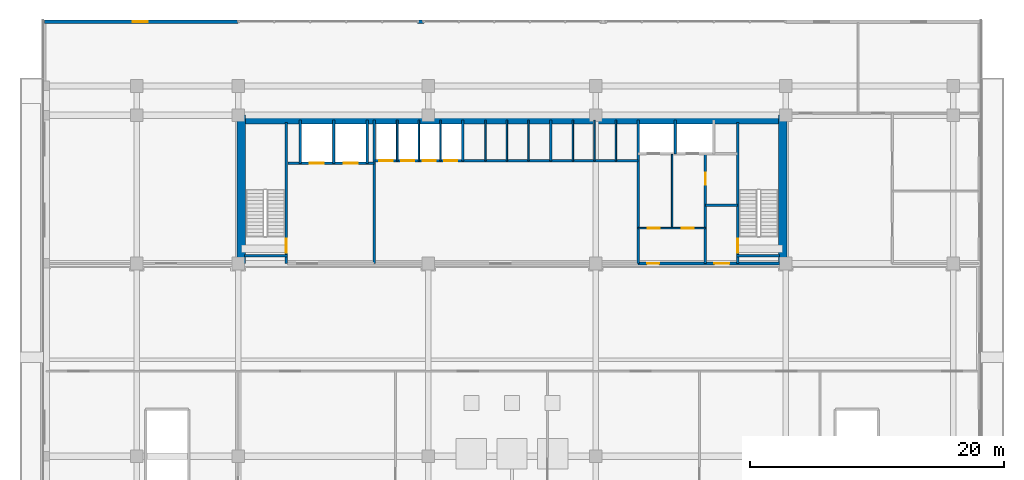
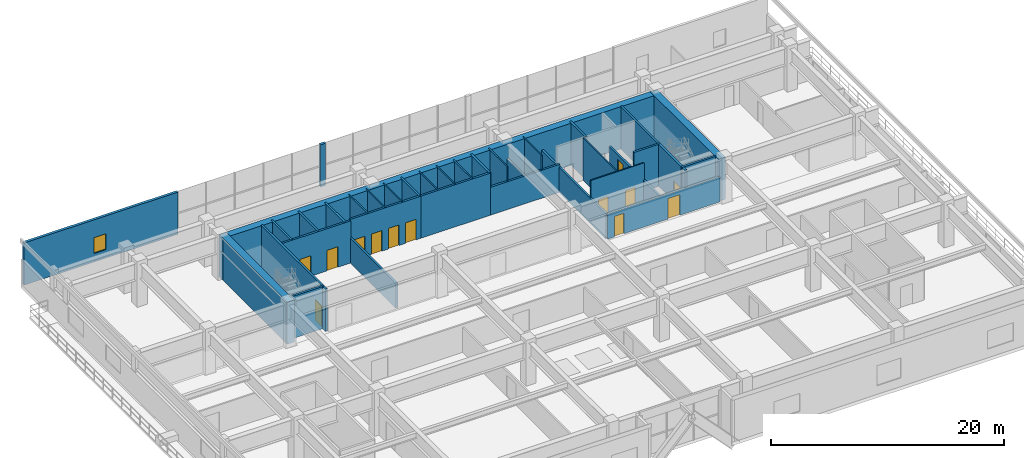
# One storey, part 12 of 17: 35 walls, 13 doors, 1 window, 14 openings.
"""IFC4 building model written with IfcOpenShell, lengths in metres."""

from ifc_helpers import new_model, si_unit, direction, frame, frame_2d, origin, place, context, subcontext, project, spatial, rectangle, extrude, source, transform, mapped, material, layer, layer_set, type_object, element, fill, save


model = new_model("IFC4")

# Units and contexts
model_context = context("Model", 3, precision=1e-05, world=origin(), true_north=direction((0.0, 1.0)))
body_context = subcontext(model_context, "Body", "Model", "MODEL_VIEW")
ifc_project = project(units=[si_unit("LENGTHUNIT", "METRE"), si_unit("AREAUNIT", "SQUARE_METRE"), si_unit("VOLUMEUNIT", "CUBIC_METRE"), si_unit("PLANEANGLEUNIT", "RADIAN"), si_unit("MASSUNIT", "GRAM", prefix="KILO")], contexts=[model_context])

# Site, building, storey
site_placement = place(None, origin())
site = spatial("IfcSite", under=ifc_project, at=site_placement, CompositionType="ELEMENT")
building_placement = place(site_placement, origin())
building = spatial("IfcBuilding", under=site, at=building_placement, Name="Trelvane Seafront Commons", CompositionType="ELEMENT")
storey_placement = place(building_placement, frame((0.0, 0.0, 18.699951171875)))
storey = spatial("IfcBuildingStorey", under=building, at=storey_placement, Name="L04", CompositionType="ELEMENT", Elevation=18.699951171875)

# Wall, opening, window
ifc_material_1 = material(Name="Precast concrete C40/50", Category="concrete")
ifc_layer_1 = layer(ifc_material_1, 0.260009765625, Name="ARCH-WALL-EXT260")
ifc_layer_set_1 = layer_set([ifc_layer_1], Name="Precast concrete C40/50")
wall_type_1 = type_object("IfcWallType", Name="ARCH-WALL-EXT260", PredefinedType="SOLIDWALL", material=ifc_layer_set_1)
wall_1_placement = place(storey_placement, frame((0.35009765625, 52.469970703125, 0.0), z_axis=(0.0, 0.0, 1.0), x_axis=(1.0, 0.0, 0.0)))
wall_1 = element("IfcWall", 1, at=wall_1_placement, inside=storey, type_object=wall_type_1, Name="EW-L04-NW-0035", PredefinedType="SOLIDWALL", context=body_context, shape_type="SweptSolid", body=[
    extrude(rectangle(XDim=15.25, YDim=0.260009765625, at=frame_2d((7.625, 0.0))), origin(), (0.0, 0.0, 1.0), 4.420166015625),
])
opening_1_placement = place(wall_1_placement, frame((6.93408203125, 0.0, 0.89990234375)))
opening_1 = element("IfcOpeningElement", 2, at=opening_1_placement, cuts=wall_1, Name="Opening W05", PredefinedType="OPENING", context=body_context, shape_type="SweptSolid", body=[
    extrude(rectangle(XDim=1.199951171875, YDim=1.64990234375, at=frame_2d((0.60009765625, 0.824951171875))), frame((0.0, 0.139892578125, 0.0), z_axis=(0.0, -1.0, 0.0), x_axis=(1.0, 0.0, 0.0)), (0.0, 0.0, 1.0), 0.280029296875),
])
ifc_material_2 = material(Name="Low-E coastal double glazing", Category="glass")
window_type = type_object("IfcWindowType", Name="ARCH-WIN-W05", PartitioningType="SINGLE_PANEL", PredefinedType="WINDOW", material=ifc_material_2)
shared_shape_1 = source(origin(), body_context, "Body", "SweptSolid", [
    extrude(rectangle(XDim=1.199951171875, YDim=1.64990234375, at=frame_2d((0.60009765625, 0.824951171875))), frame((0.0, 0.030029296875, 0.0), z_axis=(0.0, -1.0, 0.0), x_axis=(1.0, 0.0, 0.0)), (0.0, 0.0, 1.0), 0.06005859375),
])
window_placement = place(opening_1_placement, origin())
window = element("IfcWindow", 3, at=window_placement, inside=storey, type_object=window_type, Name="WIN-L04-00056", OverallHeight=1.64990234375, OverallWidth=1.199951171875, PartitioningType="SINGLE_PANEL", PredefinedType="WINDOW", context=body_context, shape_type="MappedRepresentation", body=[
    mapped(shared_shape_1, transform((0.0, 0.0, 0.0), x_axis=(1.0, 0.0, 0.0), y_axis=(0.0, 1.0, 0.0), z_axis=(0.0, 0.0, 1.0), scale=1.0)),
])
fill(opening_1, window)

# Wall
wall_2_placement = place(storey_placement, frame((29.75, 52.469970703125, 0.0), z_axis=(0.0, 0.0, 1.0), x_axis=(1.0, 0.0, 0.0)))
element("IfcWall", 4, at=wall_2_placement, inside=storey, type_object=wall_type_1, Name="EW-L04-NP-00037", PredefinedType="SOLIDWALL", context=body_context, shape_type="SweptSolid", body=[
    extrude(rectangle(XDim=0.5, YDim=0.260009765625, at=frame_2d((0.25, 0.0))), origin(), (0.0, 0.0, 1.0), 4.420166015625),
])

# Wall, opening, door
ifc_material_3 = material(Name="Concrete C40/50", Category="concrete")
ifc_layer_2 = layer(ifc_material_3, 0.199951171875, Name="ARCH-WALL-FIRE200")
ifc_layer_set_2 = layer_set([ifc_layer_2], Name="Concrete C40/50")
wall_type_2 = type_object("IfcWallType", Name="ARCH-WALL-FIRE200", PredefinedType="PARTITIONING", material=ifc_layer_set_2)
wall_3_placement = place(storey_placement, frame((52.449951171875, 33.39990234375, 0.0), z_axis=(0.0, 0.0, 1.0), x_axis=(0.0, 1.0, 0.0)))
wall_3 = element("IfcWall", 5, at=wall_3_placement, inside=storey, type_object=wall_type_2, Name="W-L04-ST2V-W-041", PredefinedType="PARTITIONING", context=body_context, shape_type="SweptSolid", body=[
    extrude(rectangle(XDim=8.650146484375, YDim=0.199951171875, at=frame_2d((4.3251953125, 0.0))), origin(), (0.0, 0.0, 1.0), 2.6201171875),
])
opening_2_placement = place(wall_3_placement, frame((6.199951171875, 0.0, 0.0)))
opening_2 = element("IfcOpeningElement", 6, at=opening_2_placement, cuts=wall_3, Name="Opening FD-L04-15", PredefinedType="OPENING", context=body_context, shape_type="SweptSolid", body=[
    extrude(rectangle(XDim=0.949951171875, YDim=2.14990234375, at=frame_2d((0.47509765625, 1.074951171875))), frame((0.0, 0.10986328125, 0.0), z_axis=(0.0, -1.0, 0.0), x_axis=(1.0, 0.0, 0.0)), (0.0, 0.0, 1.0), 0.219970703125),
])
ifc_material_4 = material(Name="Powder-coated aluminium frame", Category="aluminium")
door_type_1 = type_object("IfcDoorType", Name="ARCH-DR-FD60-950", OperationType="NOTDEFINED", PredefinedType="DOOR", material=ifc_material_4)
shared_shape_2 = source(origin(), body_context, "Body", "SweptSolid", [
    extrude(rectangle(XDim=0.949951171875, YDim=2.14990234375, at=frame_2d((0.47509765625, 1.074951171875))), frame((0.0, 0.02490234375, 0.0), z_axis=(0.0, -1.0, 0.0), x_axis=(1.0, 0.0, 0.0)), (0.0, 0.0, 1.0), 0.050048828125),
])
door_1_placement = place(opening_2_placement, origin())
door_1 = element("IfcDoor", 7, at=door_1_placement, inside=storey, type_object=door_type_1, Name="L04 Cleaner Store Door", OperationType="SINGLE_SWING_LEFT", OverallHeight=2.14990234375, OverallWidth=0.949951171875, PredefinedType="DOOR", context=body_context, shape_type="MappedRepresentation", body=[
    mapped(shared_shape_2, transform((0.0, 0.0, 0.0), x_axis=(1.0, 0.0, 0.0), y_axis=(0.0, 1.0, 0.0), z_axis=(0.0, 0.0, 1.0), scale=1.0)),
])
fill(opening_2, door_1)

# Wall
wall_4_placement = place(storey_placement, frame((52.449951171875, 38.0, 0.0), z_axis=(0.0, 0.0, 1.0), x_axis=(1.0, 0.0, 0.0)))
element("IfcWall", 8, at=wall_4_placement, inside=storey, type_object=wall_type_2, Name="W-L04-ST2V-N-042", PredefinedType="PARTITIONING", context=body_context, shape_type="SweptSolid", body=[
    extrude(rectangle(XDim=2.550048828125, YDim=0.199951171875, at=frame_2d((1.27490234375, 0.0))), origin(), (0.0, 0.0, 1.0), 4.420166015625),
])

# Wall, openings, doors
ifc_layer_3 = layer(ifc_material_3, 0.25, Name="ARCH-WALL-FIRE250")
ifc_layer_set_3 = layer_set([ifc_layer_3], Name="Concrete C40/50")
wall_type_3 = type_object("IfcWallType", Name="ARCH-WALL-FIRE250", PredefinedType="PARTITIONING", material=ifc_layer_set_3)
wall_5_placement = place(storey_placement, frame((47.14990234375, 33.39990234375, 0.0), z_axis=(0.0, 0.0, 1.0), x_axis=(1.0, 0.0, 0.0)))
wall_5 = element("IfcWall", 9, at=wall_5_placement, inside=storey, type_object=wall_type_3, Name="W-L04-CS-EAST-045", PredefinedType="PARTITIONING", context=body_context, shape_type="SweptSolid", body=[
    extrude(rectangle(XDim=11.150146484375, YDim=0.25, at=frame_2d((5.5751953125, 0.0))), origin(), (0.0, 0.0, 1.0), 2.6201171875),
])
opening_3_placement = place(wall_5_placement, frame((0.699951171875, 0.0, 0.0)))
opening_3 = element("IfcOpeningElement", 10, at=opening_3_placement, cuts=wall_5, Name="Opening FD-L04-18", PredefinedType="OPENING", context=body_context, shape_type="SweptSolid", body=[
    extrude(rectangle(XDim=0.949951171875, YDim=2.14990234375, at=frame_2d((0.47509765625, 1.074951171875))), frame((0.0, 0.135009765625, 0.0), z_axis=(0.0, -1.0, 0.0), x_axis=(1.0, 0.0, 0.0)), (0.0, 0.0, 1.0), 0.27001953125),
])
opening_4_placement = place(wall_5_placement, frame((6.0, 0.0, 0.0)))
opening_4 = element("IfcOpeningElement", 11, at=opening_4_placement, cuts=wall_5, Name="Opening FD-L04-19", PredefinedType="OPENING", context=body_context, shape_type="SweptSolid", body=[
    extrude(rectangle(XDim=1.199951171875, YDim=2.14990234375, at=frame_2d((0.60009765625, 1.074951171875))), frame((0.0, 0.135009765625, 0.0), z_axis=(0.0, -1.0, 0.0), x_axis=(1.0, 0.0, 0.0)), (0.0, 0.0, 1.0), 0.27001953125),
])
door_2_placement = place(opening_3_placement, origin())
door_2 = element("IfcDoor", 12, at=door_2_placement, inside=storey, type_object=door_type_1, Name="L04 Core Service Lobby Door", OperationType="SINGLE_SWING_RIGHT", OverallHeight=2.14990234375, OverallWidth=0.949951171875, PredefinedType="DOOR", context=body_context, shape_type="MappedRepresentation", body=[
    mapped(shared_shape_2, transform((0.0, 0.0, 0.0), x_axis=(1.0, 0.0, 0.0), y_axis=(0.0, 1.0, 0.0), z_axis=(0.0, 0.0, 1.0), scale=1.0)),
])
fill(opening_3, door_2)
door_type_2 = type_object("IfcDoorType", Name="ARCH-DR-FD60-1200", OperationType="NOTDEFINED", PredefinedType="DOOR", material=ifc_material_4)
shared_shape_3 = source(origin(), body_context, "Body", "SweptSolid", [
    extrude(rectangle(XDim=1.199951171875, YDim=2.14990234375, at=frame_2d((0.60009765625, 1.074951171875))), frame((0.0, 0.02490234375, 0.0), z_axis=(0.0, -1.0, 0.0), x_axis=(1.0, 0.0, 0.0)), (0.0, 0.0, 1.0), 0.050048828125),
])
door_3_placement = place(opening_4_placement, origin())
door_3 = element("IfcDoor", 13, at=door_3_placement, inside=storey, type_object=door_type_2, Name="L04 East Stair Vestibule Fire Door", OperationType="SINGLE_SWING_LEFT", OverallHeight=2.14990234375, OverallWidth=1.199951171875, PredefinedType="DOOR", context=body_context, shape_type="MappedRepresentation", body=[
    mapped(shared_shape_3, transform((0.0, 0.0, 0.0), x_axis=(1.0, 0.0, 0.0), y_axis=(0.0, 1.0, 0.0), z_axis=(0.0, 0.0, 1.0), scale=1.0)),
])
fill(opening_4, door_3)

# Walls
ifc_material_5 = material(Name="Gypsum Drywall Acoustic Partition")
ifc_layer_4 = layer(ifc_material_5, 0.1201171875, Name="ARCH-WALL-PART120")
ifc_layer_set_4 = layer_set([ifc_layer_4], Name="Gypsum Drywall Acoustic Partition")
wall_type_4 = type_object("IfcWallType", Name="ARCH-WALL-PART120", PredefinedType="PARTITIONING", material=ifc_layer_set_4)
for number, where, z_axis, x_axis, name in (
    (14, (28.14990234375, 41.5, 0.0), (0.0, 0.0, 1.0), (0.0, 1.0, 0.0), "W-L04-PL-DIV1-024"),
    (15, (29.85009765625, 41.5, 0.0), (0.0, 0.0, 1.0), (0.0, 1.0, 0.0), "W-L04-PL-DIV2-025"),
    (16, (31.550048828125, 41.5, 0.0), (0.0, 0.0, 1.0), (0.0, 1.0, 0.0), "W-L04-PL-DIV3-026"),
    (17, (35.10009765625, 41.5, 0.0), (0.0, 0.0, 1.0), (0.0, 1.0, 0.0), "W-L04-PM-DIV1-028"),
    (18, (36.800048828125, 41.5, 0.0), (0.0, 0.0, 1.0), (0.0, 1.0, 0.0), "W-L04-PM-DIV2-029"),
    (19, (38.5, 41.5, 0.0), (0.0, 0.0, 1.0), (0.0, 1.0, 0.0), "W-L04-PM-DIV3-030"),
    (20, (42.0, 41.5, 0.0), (0.0, 0.0, 1.0), (0.0, 1.0, 0.0), "W-L04-PH-DIV1-033"),
):
    element("IfcWall", number, at=place(storey_placement, frame(where, z_axis=z_axis, x_axis=x_axis)), inside=storey, type_object=wall_type_4, Name=name, PredefinedType="PARTITIONING", context=body_context, shape_type="SweptSolid", body=[
        extrude(rectangle(XDim=3.199951171875, YDim=0.1201171875, at=frame_2d((1.60009765625, 0.0))), origin(), (0.0, 0.0, 1.0), 4.420166015625),
    ])
wall_6_placement = place(storey_placement, frame((43.699951171875, 41.5, 0.0), z_axis=(0.0, 0.0, 1.0), x_axis=(0.0, 1.0, 0.0)))
element("IfcWall", 21, at=wall_6_placement, inside=storey, type_object=wall_type_4, Name="W-L04-PH-DIV2-034", PredefinedType="PARTITIONING", context=body_context, shape_type="SweptSolid", body=[
    extrude(rectangle(XDim=3.199951171875, YDim=0.1201171875, at=frame_2d((1.60009765625, 0.0))), origin(), (0.0, 0.0, 1.0), 2.920166015625),
])
wall_7_placement = place(storey_placement, frame((45.39990234375, 41.5, 0.0), z_axis=(0.0, 0.0, 1.0), x_axis=(0.0, 1.0, 0.0)))
element("IfcWall", 22, at=wall_7_placement, inside=storey, type_object=wall_type_4, Name="W-L04-PH-DIV3-035", PredefinedType="PARTITIONING", context=body_context, shape_type="SweptSolid", body=[
    extrude(rectangle(XDim=3.199951171875, YDim=0.1201171875, at=frame_2d((1.60009765625, 0.0))), origin(), (0.0, 0.0, 1.0), 4.420166015625),
])

# Wall, openings, doors
wall_8_placement = place(storey_placement, frame((47.14990234375, 36.179931640625, 0.0), z_axis=(0.0, 0.0, 1.0), x_axis=(1.0, 0.0, 0.0)))
wall_8 = element("IfcWall", 23, at=wall_8_placement, inside=storey, type_object=wall_type_4, Name="W-L04-CYC1-H-043", PredefinedType="PARTITIONING", context=body_context, shape_type="SweptSolid", body=[
    extrude(rectangle(XDim=5.300048828125, YDim=0.1201171875, at=frame_2d((2.64990234375, 0.0))), origin(), (0.0, 0.0, 1.0), 4.420166015625),
])
opening_5_placement = place(wall_8_placement, frame((0.75, 0.0, 0.0)))
opening_5 = element("IfcOpeningElement", 24, at=opening_5_placement, cuts=wall_8, Name="Opening D-L04-16", PredefinedType="OPENING", context=body_context, shape_type="SweptSolid", body=[
    extrude(rectangle(XDim=0.949951171875, YDim=2.14990234375, at=frame_2d((0.47509765625, 1.074951171875))), frame((0.0, 0.070068359375, 0.0), z_axis=(0.0, -1.0, 0.0), x_axis=(1.0, 0.0, 0.0)), (0.0, 0.0, 1.0), 0.14013671875),
])
opening_6_placement = place(wall_8_placement, frame((3.449951171875, 0.0, 0.0)))
opening_6 = element("IfcOpeningElement", 25, at=opening_6_placement, cuts=wall_8, Name="Opening D-L04-17", PredefinedType="OPENING", context=body_context, shape_type="SweptSolid", body=[
    extrude(rectangle(XDim=0.949951171875, YDim=2.14990234375, at=frame_2d((0.47509765625, 1.074951171875))), frame((0.0, 0.070068359375, 0.0), z_axis=(0.0, -1.0, 0.0), x_axis=(1.0, 0.0, 0.0)), (0.0, 0.0, 1.0), 0.14013671875),
])
ifc_material_6 = material(Name="Acoustic timber door leaf", Category="wood")
door_type_3 = type_object("IfcDoorType", Name="ARCH-DR-INT950", OperationType="NOTDEFINED", PredefinedType="DOOR", material=ifc_material_6)
door_4_placement = place(opening_5_placement, origin())
door_4 = element("IfcDoor", 26, at=door_4_placement, inside=storey, type_object=door_type_3, Name="L04 Accessible WC Door", OperationType="SINGLE_SWING_RIGHT", OverallHeight=2.14990234375, OverallWidth=0.949951171875, PredefinedType="DOOR", context=body_context, shape_type="MappedRepresentation", body=[
    mapped(shared_shape_2, transform((0.0, 0.0, 0.0), x_axis=(1.0, 0.0, 0.0), y_axis=(0.0, 1.0, 0.0), z_axis=(0.0, 0.0, 1.0), scale=1.0)),
])
fill(opening_5, door_4)
door_5_placement = place(opening_6_placement, origin())
door_5 = element("IfcDoor", 27, at=door_5_placement, inside=storey, type_object=door_type_3, Name="L04 BMS Room Door", OperationType="SINGLE_SWING_LEFT", OverallHeight=2.14990234375, OverallWidth=0.949951171875, PredefinedType="DOOR", context=body_context, shape_type="MappedRepresentation", body=[
    mapped(shared_shape_2, transform((0.0, 0.0, 0.0), x_axis=(1.0, 0.0, 0.0), y_axis=(0.0, 1.0, 0.0), z_axis=(0.0, 0.0, 1.0), scale=1.0)),
])
fill(opening_6, door_5)

# Wall
wall_9_placement = place(storey_placement, frame((49.820068359375, 36.179931640625, 0.0), z_axis=(0.0, 0.0, 1.0), x_axis=(0.0, 1.0, 0.0)))
element("IfcWall", 28, at=wall_9_placement, inside=storey, type_object=wall_type_4, Name="W-L04-CYC1-V-044", PredefinedType="PARTITIONING", context=body_context, shape_type="SweptSolid", body=[
    extrude(rectangle(XDim=5.820068359375, YDim=0.1201171875, at=frame_2d((2.91015625, 0.0))), origin(), (0.0, 0.0, 1.0), 4.420166015625),
])

# Wall, openings, doors
ifc_layer_5 = layer(ifc_material_3, 0.199951171875, Name="ARCH-WALL-SHAFT200")
ifc_layer_set_5 = layer_set([ifc_layer_5], Name="Concrete C40/50")
wall_type_5 = type_object("IfcWallType", Name="ARCH-WALL-SHAFT200", PredefinedType="SOLIDWALL", material=ifc_layer_set_5)
wall_10_placement = place(storey_placement, frame((19.550048828125, 41.300048828125, 0.0), z_axis=(0.0, 0.0, 1.0), x_axis=(1.0, 0.0, 0.0)))
wall_10 = element("IfcWall", 29, at=wall_10_placement, inside=storey, type_object=wall_type_5, Name="W-L04-FFL-FRONT-016", PredefinedType="SOLIDWALL", context=body_context, shape_type="SweptSolid", body=[
    extrude(rectangle(XDim=6.75, YDim=0.199951171875, at=frame_2d((3.375, 0.0))), origin(), (0.0, 0.0, 1.0), 4.420166015625),
])
opening_7_placement = place(wall_10_placement, frame((1.699951171875, 0.0, 0.0)))
opening_7 = element("IfcOpeningElement", 30, at=opening_7_placement, cuts=wall_10, Name="Opening LD-FF1-L04", PredefinedType="OPENING", context=body_context, shape_type="SweptSolid", body=[
    extrude(rectangle(XDim=1.10009765625, YDim=2.14990234375, at=frame_2d((0.550048828125, 1.074951171875))), frame((0.0, 0.10986328125, 0.0), z_axis=(0.0, -1.0, 0.0), x_axis=(1.0, 0.0, 0.0)), (0.0, 0.0, 1.0), 0.219970703125),
])
opening_8_placement = place(wall_10_placement, frame((4.39990234375, 0.0, 0.0)))
opening_8 = element("IfcOpeningElement", 31, at=opening_8_placement, cuts=wall_10, Name="Opening LD-FF2-L04", PredefinedType="OPENING", context=body_context, shape_type="SweptSolid", body=[
    extrude(rectangle(XDim=1.10009765625, YDim=2.14990234375, at=frame_2d((0.550048828125, 1.074951171875))), frame((0.0, 0.10986328125, 0.0), z_axis=(0.0, -1.0, 0.0), x_axis=(1.0, 0.0, 0.0)), (0.0, 0.0, 1.0), 0.219970703125),
])
ifc_material_7 = material(Name="Stainless steel balustrade", Category="steel")
door_type_4 = type_object("IfcDoorType", Name="ARCH-DR-LD1100", OperationType="DOUBLE_DOOR_SLIDING", PredefinedType="DOOR", material=ifc_material_7)
shared_shape_4 = source(origin(), body_context, "Body", "SweptSolid", [
    extrude(rectangle(XDim=1.10009765625, YDim=2.14990234375, at=frame_2d((0.550048828125, 1.074951171875))), frame((0.0, 0.02490234375, 0.0), z_axis=(0.0, -1.0, 0.0), x_axis=(1.0, 0.0, 0.0)), (0.0, 0.0, 1.0), 0.050048828125),
])
door_6_placement = place(opening_7_placement, origin())
door_6 = element("IfcDoor", 32, at=door_6_placement, inside=storey, type_object=door_type_4, Name="L04 Firefighting Lift FFL-1 Landing Door", OperationType="DOUBLE_DOOR_SLIDING", OverallHeight=2.14990234375, OverallWidth=1.10009765625, PredefinedType="DOOR", context=body_context, shape_type="MappedRepresentation", body=[
    mapped(shared_shape_4, transform((0.0, 0.0, 0.0), x_axis=(1.0, 0.0, 0.0), y_axis=(0.0, 1.0, 0.0), z_axis=(0.0, 0.0, 1.0), scale=1.0)),
])
fill(opening_7, door_6)
door_7_placement = place(opening_8_placement, origin())
door_7 = element("IfcDoor", 33, at=door_7_placement, inside=storey, type_object=door_type_4, Name="L04 Firefighting Lift FFL-2 Landing Door", OperationType="DOUBLE_DOOR_SLIDING", OverallHeight=2.14990234375, OverallWidth=1.10009765625, PredefinedType="DOOR", context=body_context, shape_type="MappedRepresentation", body=[
    mapped(shared_shape_4, transform((0.0, 0.0, 0.0), x_axis=(1.0, 0.0, 0.0), y_axis=(0.0, 1.0, 0.0), z_axis=(0.0, 0.0, 1.0), scale=1.0)),
])
fill(opening_8, door_7)

# Walls
for number, where, z_axis, x_axis, name in (
    (34, (20.5, 41.300048828125, 0.0), (0.0, 0.0, 1.0), (0.0, 1.0, 0.0), "W-L04-FFL-SH-W-017"),
    (35, (23.14990234375, 41.300048828125, 0.0), (0.0, 0.0, 1.0), (0.0, 1.0, 0.0), "W-L04-FFL-DIV-018"),
    (36, (25.800048828125, 41.300048828125, 0.0), (0.0, 0.0, 1.0), (0.0, 1.0, 0.0), "W-L04-FFL-SH-E-019"),
):
    element("IfcWall", number, at=place(storey_placement, frame(where, z_axis=z_axis, x_axis=x_axis)), inside=storey, type_object=wall_type_5, Name=name, PredefinedType="SOLIDWALL", context=body_context, shape_type="SweptSolid", body=[
        extrude(rectangle(XDim=3.39990234375, YDim=0.199951171875, at=frame_2d((1.699951171875, 0.0))), origin(), (0.0, 0.0, 1.0), 4.420166015625),
    ])
wall_11_placement = place(storey_placement, frame((26.35009765625, 33.39990234375, 0.0), z_axis=(0.0, 0.0, 1.0), x_axis=(0.0, 1.0, 0.0)))
element("IfcWall", 37, at=wall_11_placement, inside=storey, type_object=wall_type_5, Name="W-L04-FFL-EAST-020", PredefinedType="SOLIDWALL", context=body_context, shape_type="SweptSolid", body=[
    extrude(rectangle(XDim=11.300048828125, YDim=0.199951171875, at=frame_2d((5.64990234375, 0.0))), origin(), (0.0, 0.0, 1.0), 2.6201171875),
])

# Wall, openings, doors
wall_12_placement = place(storey_placement, frame((26.39990234375, 41.5, 0.0), z_axis=(0.0, 0.0, 1.0), x_axis=(1.0, 0.0, 0.0)))
wall_12 = element("IfcWall", 38, at=wall_12_placement, inside=storey, type_object=wall_type_5, Name="W-L04-PL-FRONT-022", PredefinedType="SOLIDWALL", context=body_context, shape_type="SweptSolid", body=[
    extrude(rectangle(XDim=6.9501953125, YDim=0.199951171875, at=frame_2d((3.47509765625, 0.0))), origin(), (0.0, 0.0, 1.0), 4.420166015625),
])
opening_9_placement = place(wall_12_placement, frame((0.35009765625, 0.0, 0.0)))
opening_9 = element("IfcOpeningElement", 39, at=opening_9_placement, cuts=wall_12, Name="Opening LD-PL1-L04", PredefinedType="OPENING", context=body_context, shape_type="SweptSolid", body=[
    extrude(rectangle(XDim=1.050048828125, YDim=2.14990234375, at=frame_2d((0.52490234375, 1.074951171875))), frame((0.0, 0.10986328125, 0.0), z_axis=(0.0, -1.0, 0.0), x_axis=(1.0, 0.0, 0.0)), (0.0, 0.0, 1.0), 0.219970703125),
])
opening_10_placement = place(wall_12_placement, frame((2.050048828125, 0.0, 0.0)))
opening_10 = element("IfcOpeningElement", 40, at=opening_10_placement, cuts=wall_12, Name="Opening LD-PL2-L04", PredefinedType="OPENING", context=body_context, shape_type="SweptSolid", body=[
    extrude(rectangle(XDim=1.050048828125, YDim=2.14990234375, at=frame_2d((0.52490234375, 1.074951171875))), frame((0.0, 0.10986328125, 0.0), z_axis=(0.0, -1.0, 0.0), x_axis=(1.0, 0.0, 0.0)), (0.0, 0.0, 1.0), 0.219970703125),
])
opening_11_placement = place(wall_12_placement, frame((3.75, 0.0, 0.0)))
opening_11 = element("IfcOpeningElement", 41, at=opening_11_placement, cuts=wall_12, Name="Opening LD-PL3-L04", PredefinedType="OPENING", context=body_context, shape_type="SweptSolid", body=[
    extrude(rectangle(XDim=1.050048828125, YDim=2.14990234375, at=frame_2d((0.52490234375, 1.074951171875))), frame((0.0, 0.10986328125, 0.0), z_axis=(0.0, -1.0, 0.0), x_axis=(1.0, 0.0, 0.0)), (0.0, 0.0, 1.0), 0.219970703125),
])
opening_12_placement = place(wall_12_placement, frame((5.449951171875, 0.0, 0.0)))
opening_12 = element("IfcOpeningElement", 42, at=opening_12_placement, cuts=wall_12, Name="Opening LD-PL4-L04", PredefinedType="OPENING", context=body_context, shape_type="SweptSolid", body=[
    extrude(rectangle(XDim=1.050048828125, YDim=2.14990234375, at=frame_2d((0.52490234375, 1.074951171875))), frame((0.0, 0.10986328125, 0.0), z_axis=(0.0, -1.0, 0.0), x_axis=(1.0, 0.0, 0.0)), (0.0, 0.0, 1.0), 0.219970703125),
])
door_type_5 = type_object("IfcDoorType", Name="ARCH-DR-LD1050", OperationType="DOUBLE_DOOR_SLIDING", PredefinedType="DOOR", material=ifc_material_7)
shared_shape_5 = source(origin(), body_context, "Body", "SweptSolid", [
    extrude(rectangle(XDim=1.050048828125, YDim=2.14990234375, at=frame_2d((0.52490234375, 1.074951171875))), frame((0.0, 0.02490234375, 0.0), z_axis=(0.0, -1.0, 0.0), x_axis=(1.0, 0.0, 0.0)), (0.0, 0.0, 1.0), 0.050048828125),
])
door_8_placement = place(opening_9_placement, origin())
door_8 = element("IfcDoor", 43, at=door_8_placement, inside=storey, type_object=door_type_5, Name="L04 Passenger Lift PL-1 Landing Door", OperationType="DOUBLE_DOOR_SLIDING", OverallHeight=2.14990234375, OverallWidth=1.050048828125, PredefinedType="DOOR", context=body_context, shape_type="MappedRepresentation", body=[
    mapped(shared_shape_5, transform((0.0, 0.0, 0.0), x_axis=(1.0, 0.0, 0.0), y_axis=(0.0, 1.0, 0.0), z_axis=(0.0, 0.0, 1.0), scale=1.0)),
])
fill(opening_9, door_8)
door_9_placement = place(opening_10_placement, origin())
door_9 = element("IfcDoor", 44, at=door_9_placement, inside=storey, type_object=door_type_5, Name="L04 Passenger Lift PL-2 Landing Door", OperationType="DOUBLE_DOOR_SLIDING", OverallHeight=2.14990234375, OverallWidth=1.050048828125, PredefinedType="DOOR", context=body_context, shape_type="MappedRepresentation", body=[
    mapped(shared_shape_5, transform((0.0, 0.0, 0.0), x_axis=(1.0, 0.0, 0.0), y_axis=(0.0, 1.0, 0.0), z_axis=(0.0, 0.0, 1.0), scale=1.0)),
])
fill(opening_10, door_9)
door_10_placement = place(opening_11_placement, origin())
door_10 = element("IfcDoor", 45, at=door_10_placement, inside=storey, type_object=door_type_5, Name="L04 Passenger Lift PL-3 Landing Door", OperationType="DOUBLE_DOOR_SLIDING", OverallHeight=2.14990234375, OverallWidth=1.050048828125, PredefinedType="DOOR", context=body_context, shape_type="MappedRepresentation", body=[
    mapped(shared_shape_5, transform((0.0, 0.0, 0.0), x_axis=(1.0, 0.0, 0.0), y_axis=(0.0, 1.0, 0.0), z_axis=(0.0, 0.0, 1.0), scale=1.0)),
])
fill(opening_11, door_10)
door_11_placement = place(opening_12_placement, origin())
door_11 = element("IfcDoor", 46, at=door_11_placement, inside=storey, type_object=door_type_5, Name="L04 Passenger Lift PL-4 Landing Door", OperationType="DOUBLE_DOOR_SLIDING", OverallHeight=2.14990234375, OverallWidth=1.050048828125, PredefinedType="DOOR", context=body_context, shape_type="MappedRepresentation", body=[
    mapped(shared_shape_5, transform((0.0, 0.0, 0.0), x_axis=(1.0, 0.0, 0.0), y_axis=(0.0, 1.0, 0.0), z_axis=(0.0, 0.0, 1.0), scale=1.0)),
])
fill(opening_12, door_11)

# Walls
wall_13_placement = place(storey_placement, frame((33.300048828125, 41.5, 0.0), z_axis=(0.0, 0.0, 1.0), x_axis=(0.0, 1.0, 0.0)))
element("IfcWall", 47, at=wall_13_placement, inside=storey, type_object=wall_type_5, Name="W-L04-PL-EAST-SH-023", PredefinedType="SOLIDWALL", context=body_context, shape_type="SweptSolid", body=[
    extrude(rectangle(XDim=3.199951171875, YDim=0.199951171875, at=frame_2d((1.60009765625, 0.0))), origin(), (0.0, 0.0, 1.0), 4.420166015625),
])
wall_14_placement = place(storey_placement, frame((33.35009765625, 41.5, 0.0), z_axis=(0.0, 0.0, 1.0), x_axis=(1.0, 0.0, 0.0)))
element("IfcWall", 48, at=wall_14_placement, inside=storey, type_object=wall_type_5, Name="W-L04-PM-FRONT-027", PredefinedType="SOLIDWALL", context=body_context, shape_type="SweptSolid", body=[
    extrude(rectangle(XDim=6.89990234375, YDim=0.199951171875, at=frame_2d((3.449951171875, 0.0))), origin(), (0.0, 0.0, 1.0), 4.420166015625),
])
wall_15_placement = place(storey_placement, frame((40.25, 41.5, 0.0), z_axis=(0.0, 0.0, 1.0), x_axis=(1.0, 0.0, 0.0)))
element("IfcWall", 49, at=wall_15_placement, inside=storey, type_object=wall_type_5, Name="W-L04-PH-FRONT-031", PredefinedType="SOLIDWALL", context=body_context, shape_type="SweptSolid", body=[
    extrude(rectangle(XDim=6.89990234375, YDim=0.199951171875, at=frame_2d((3.449951171875, 0.0))), origin(), (0.0, 0.0, 1.0), 2.920166015625),
])
wall_16_placement = place(storey_placement, frame((40.25, 41.5, 0.0), z_axis=(0.0, 0.0, 1.0), x_axis=(0.0, 1.0, 0.0)))
element("IfcWall", 50, at=wall_16_placement, inside=storey, type_object=wall_type_5, Name="W-L04-PH-WEST-SH-032", PredefinedType="SOLIDWALL", context=body_context, shape_type="SweptSolid", body=[
    extrude(rectangle(XDim=3.199951171875, YDim=0.199951171875, at=frame_2d((1.60009765625, 0.0))), origin(), (0.0, 0.0, 1.0), 4.420166015625),
])
wall_17_placement = place(storey_placement, frame((47.14990234375, 33.39990234375, 0.0), z_axis=(0.0, 0.0, 1.0), x_axis=(0.0, 1.0, 0.0)))
element("IfcWall", 51, at=wall_17_placement, inside=storey, type_object=wall_type_5, Name="W-L04-PH-EAST-036", PredefinedType="SOLIDWALL", context=body_context, shape_type="SweptSolid", body=[
    extrude(rectangle(XDim=11.300048828125, YDim=0.199951171875, at=frame_2d((5.64990234375, 0.0))), origin(), (0.0, 0.0, 1.0), 2.6201171875),
])
wall_18_placement = place(storey_placement, frame((50.080078125, 42.050048828125, 0.0), z_axis=(0.0, 0.0, 1.0), x_axis=(0.0, 1.0, 0.0)))
element("IfcWall", 52, at=wall_18_placement, inside=storey, type_object=wall_type_5, Name="W-L04-RSR-DIV-039", PredefinedType="SOLIDWALL", context=body_context, shape_type="SweptSolid", body=[
    extrude(rectangle(XDim=2.64990234375, YDim=0.199951171875, at=frame_2d((1.324951171875, 0.0))), origin(), (0.0, 0.0, 1.0), 4.420166015625),
])
ifc_material_8 = material(Name="Concrete C60/75", Category="concrete")
ifc_layer_6 = layer(ifc_material_8, 0.699951171875, Name="STR-WALL-CORE700")
ifc_layer_set_6 = layer_set([ifc_layer_6], Name="Concrete C60/75")
wall_type_6 = type_object("IfcWallType", Name="STR-WALL-CORE700", PredefinedType="SHEAR", material=ifc_layer_set_6)
wall_19_placement = place(storey_placement, frame((15.5, 44.75, 0.0), z_axis=(0.0, 0.0, 1.0), x_axis=(1.0, 0.0, 0.0)))
element("IfcWall", 53, at=wall_19_placement, inside=storey, type_object=wall_type_6, Name="W-L04-CN-ALL-001", PredefinedType="SHEAR", context=body_context, shape_type="SweptSolid", body=[
    extrude(rectangle(XDim=43.39990234375, YDim=0.699951171875, at=frame_2d((21.699951171875, 0.0))), origin(), (0.0, 0.0, 1.0), 4.420166015625),
])
for number, where, z_axis, x_axis, name in (
    (54, (15.85009765625, 33.39990234375, 0.0), (0.0, 0.0, 1.0), (0.0, 1.0, 0.0), "W-L04-CW-END-002"),
    (55, (58.550048828125, 33.39990234375, 0.0), (0.0, 0.0, 1.0), (0.0, 1.0, 0.0), "W-L04-CE-END-003"),
):
    element("IfcWall", number, at=place(storey_placement, frame(where, z_axis=z_axis, x_axis=x_axis)), inside=storey, type_object=wall_type_6, Name=name, PredefinedType="SHEAR", context=body_context, shape_type="SweptSolid", body=[
        extrude(rectangle(XDim=11.7001953125, YDim=0.699951171875, at=frame_2d((5.85009765625, 0.0))), origin(), (0.0, 0.0, 1.0), 4.420166015625),
    ])
ifc_material_9 = material(Name="Concrete C50/60", Category="concrete")
ifc_layer_7 = layer(ifc_material_9, 0.199951171875, Name="STR-WALL-STAIR200")
ifc_layer_set_7 = layer_set([ifc_layer_7], Name="Concrete C50/60")
wall_type_7 = type_object("IfcWallType", Name="STR-WALL-STAIR200", PredefinedType="SHEAR", material=ifc_layer_set_7)
wall_20_placement = place(storey_placement, frame((16.10009765625, 34.0, 0.0), z_axis=(0.0, 0.0, 1.0), x_axis=(1.0, 0.0, 0.0)))
element("IfcWall", 56, at=wall_20_placement, inside=storey, type_object=wall_type_7, Name="W-L04-ST1-S-004", PredefinedType="SHEAR", context=body_context, shape_type="SweptSolid", body=[
    extrude(rectangle(XDim=3.39990234375, YDim=0.199951171875, at=frame_2d((1.699951171875, 0.0))), origin(), (0.0, 0.0, 1.0), 4.420166015625),
])

# Wall, opening, door
wall_21_placement = place(storey_placement, frame((19.39990234375, 33.39990234375, 0.0), z_axis=(0.0, 0.0, 1.0), x_axis=(0.0, 1.0, 0.0)))
wall_21 = element("IfcWall", 57, at=wall_21_placement, inside=storey, type_object=wall_type_7, Name="W-L04-ST1-E-005", PredefinedType="SHEAR", context=body_context, shape_type="SweptSolid", body=[
    extrude(rectangle(XDim=11.10009765625, YDim=0.199951171875, at=frame_2d((5.550048828125, 0.0))), origin(), (0.0, 0.0, 1.0), 4.420166015625),
])
opening_13_placement = place(wall_21_placement, frame((0.85009765625, 0.0, 0.0)))
opening_13 = element("IfcOpeningElement", 58, at=opening_13_placement, cuts=wall_21, Name="Opening ST-D1-L04", PredefinedType="OPENING", context=body_context, shape_type="SweptSolid", body=[
    extrude(rectangle(XDim=1.10009765625, YDim=2.14990234375, at=frame_2d((0.550048828125, 1.074951171875))), frame((0.0, 0.10986328125, 0.0), z_axis=(0.0, -1.0, 0.0), x_axis=(1.0, 0.0, 0.0)), (0.0, 0.0, 1.0), 0.219970703125),
])
door_type_6 = type_object("IfcDoorType", Name="ARCH-DR-FD90-1100", OperationType="NOTDEFINED", PredefinedType="DOOR", material=ifc_material_4)
door_12_placement = place(opening_13_placement, origin())
door_12 = element("IfcDoor", 59, at=door_12_placement, inside=storey, type_object=door_type_6, Name="L04 Stair ST-1 Lobby Fire Door", OperationType="SINGLE_SWING_LEFT", OverallHeight=2.14990234375, OverallWidth=1.10009765625, PredefinedType="DOOR", context=body_context, shape_type="MappedRepresentation", body=[
    mapped(shared_shape_4, transform((0.0, 0.0, 0.0), x_axis=(1.0, 0.0, 0.0), y_axis=(0.0, 1.0, 0.0), z_axis=(0.0, 0.0, 1.0), scale=1.0)),
])
fill(opening_13, door_12)

# Wall
wall_22_placement = place(storey_placement, frame((54.89990234375, 34.0, 0.0), z_axis=(0.0, 0.0, 1.0), x_axis=(1.0, 0.0, 0.0)))
element("IfcWall", 60, at=wall_22_placement, inside=storey, type_object=wall_type_7, Name="W-L04-ST2-S-006", PredefinedType="SHEAR", context=body_context, shape_type="SweptSolid", body=[
    extrude(rectangle(XDim=3.400146484375, YDim=0.199951171875, at=frame_2d((1.7001953125, 0.0))), origin(), (0.0, 0.0, 1.0), 4.420166015625),
])

# Wall, opening, door
wall_23_placement = place(storey_placement, frame((55.0, 33.39990234375, 0.0), z_axis=(0.0, 0.0, 1.0), x_axis=(0.0, 1.0, 0.0)))
wall_23 = element("IfcWall", 61, at=wall_23_placement, inside=storey, type_object=wall_type_7, Name="W-L04-ST2-W-007", PredefinedType="SHEAR", context=body_context, shape_type="SweptSolid", body=[
    extrude(rectangle(XDim=11.10009765625, YDim=0.199951171875, at=frame_2d((5.550048828125, 0.0))), origin(), (0.0, 0.0, 1.0), 4.420166015625),
])
opening_14_placement = place(wall_23_placement, frame((0.85009765625, 0.0, 0.0)))
opening_14 = element("IfcOpeningElement", 62, at=opening_14_placement, cuts=wall_23, Name="Opening ST-D2-L04", PredefinedType="OPENING", context=body_context, shape_type="SweptSolid", body=[
    extrude(rectangle(XDim=1.10009765625, YDim=2.14990234375, at=frame_2d((0.550048828125, 1.074951171875))), frame((0.0, 0.10986328125, 0.0), z_axis=(0.0, -1.0, 0.0), x_axis=(1.0, 0.0, 0.0)), (0.0, 0.0, 1.0), 0.219970703125),
])
door_13_placement = place(opening_14_placement, origin())
door_13 = element("IfcDoor", 63, at=door_13_placement, inside=storey, type_object=door_type_6, Name="L04 Stair ST-2 Vestibule Fire Door", OperationType="SINGLE_SWING_RIGHT", OverallHeight=2.14990234375, OverallWidth=1.10009765625, PredefinedType="DOOR", context=body_context, shape_type="MappedRepresentation", body=[
    mapped(shared_shape_4, transform((0.0, 0.0, 0.0), x_axis=(1.0, 0.0, 0.0), y_axis=(0.0, 1.0, 0.0), z_axis=(0.0, 0.0, 1.0), scale=1.0)),
])
fill(opening_14, door_13)

save(model, "model.ifc")
